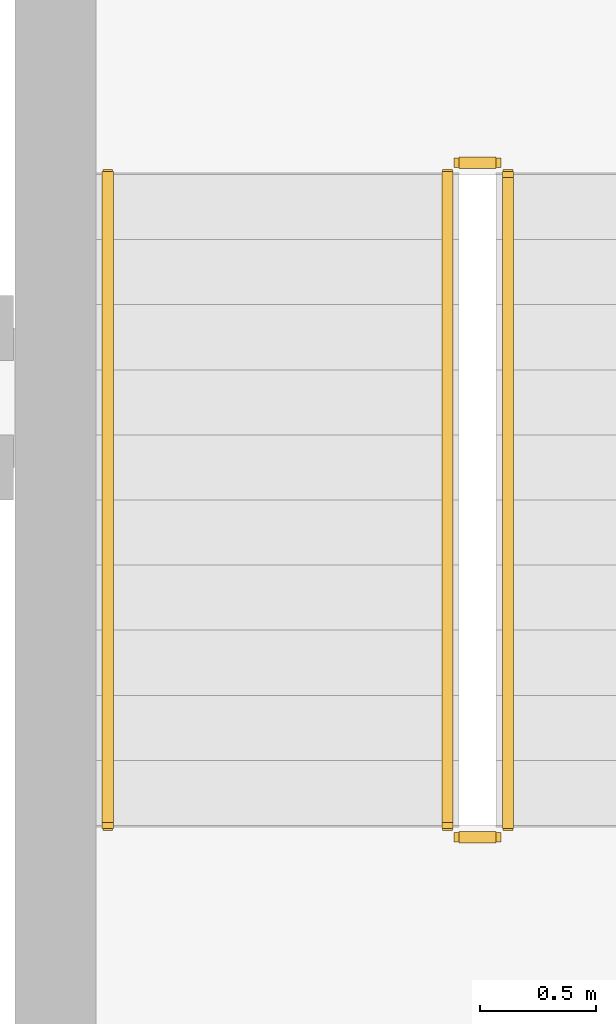
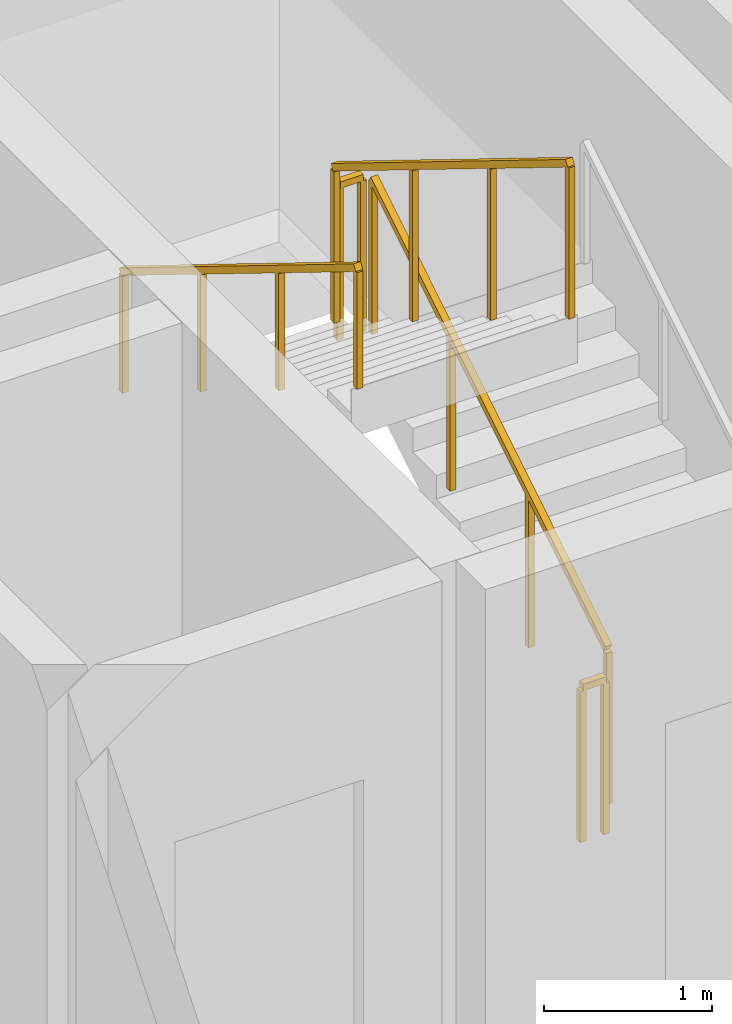
# One storey, part 14 of 15: 5 railings.
"""IFC4 building model written with IfcOpenShell, lengths in metres."""

from ifc_helpers import new_model, si_unit, direction, frame, origin, origin_2d, place, context, subcontext, project, spatial, rectangle, extrude, material, type_object, element, save


model = new_model("IFC4")

# Units and contexts
model_context = context("Model", 3, precision=1e-05, world=origin(), true_north=direction((0.0, 1.0)))
body_context = subcontext(model_context, "Body", "Model", "MODEL_VIEW")
ifc_project = project(units=[si_unit("LENGTHUNIT", "METRE"), si_unit("AREAUNIT", "SQUARE_METRE"), si_unit("VOLUMEUNIT", "CUBIC_METRE"), si_unit("PLANEANGLEUNIT", "RADIAN"), si_unit("MASSUNIT", "GRAM", prefix="KILO")], contexts=[model_context])

# Site, building, storey
site_placement = place(None, origin())
site = spatial("IfcSite", under=ifc_project, at=site_placement, CompositionType="ELEMENT")
building_placement = place(site_placement, origin())
building = spatial("IfcBuilding", under=site, at=building_placement, Name="Kaelvorn Grand Hotel", CompositionType="ELEMENT")
storey_placement = place(building_placement, frame((0.0, 0.0, 139.14990234375)))
storey = spatial("IfcBuildingStorey", under=building, at=storey_placement, Name="L33", CompositionType="ELEMENT", Elevation=139.14990234375)

# Railings
ifc_material = material(Name="Stainless Steel", Category="steel")
railing_type_1 = type_object("IfcRailingType", Name="RL-HANDRAIL-900", PredefinedType="HANDRAIL", material=ifc_material)
railing_1_placement = place(storey_placement, frame((63.3701171875, 44.56005859375, 2.07275390625)))
element("IfcRailing", 1, at=railing_1_placement, inside=storey, type_object=railing_type_1, Name="L33 ST3 stair handrail 2", PredefinedType="HANDRAIL", context=body_context, shape_type="SweptSolid", body=[
    extrude(rectangle(XDim=0.048095703125, YDim=0.048095703125, at=origin_2d()), frame((0.0, 0.0, 0.8759765625), z_axis=(0.0, -0.851089632645, 0.525020415988), x_axis=(1.0, 0.0, 0.0)), (0.0, 0.0, 1.0), 3.2900390625),
    extrude(rectangle(XDim=0.0419921875, YDim=0.0419921875, at=origin_2d()), origin(), (0.0, 0.0, 1.0), 0.851806640625),
    extrude(rectangle(XDim=0.0419921875, YDim=0.0419921875, at=origin_2d()), frame((0.0, -0.933349609375, 0.57568359375)), (0.0, 0.0, 1.0), 0.851806640625),
    extrude(rectangle(XDim=0.0419921875, YDim=0.0419921875, at=origin_2d()), frame((0.0, -1.86669921875, 1.151611328125)), (0.0, 0.0, 1.0), 0.851806640625),
    extrude(rectangle(XDim=0.0419921875, YDim=0.0419921875, at=origin_2d()), frame((0.0, -2.800048828125, 1.727294921875)), (0.0, 0.0, 1.0), 0.851806640625),
])
railing_type_2 = type_object("IfcRailingType", Name="RL-STAIR-GUARD-1150", PredefinedType="BALUSTRADE", material=ifc_material)
railing_2_placement = place(storey_placement, frame((65.090087890625, 41.760009765625, 0.1728515625)))
element("IfcRailing", 2, at=railing_2_placement, inside=storey, type_object=railing_type_2, Name="L33 ST3 stair guard 1", PredefinedType="BALUSTRADE", context=body_context, shape_type="SweptSolid", body=[
    extrude(rectangle(XDim=0.048095703125, YDim=0.048095703125, at=origin_2d()), frame((0.0, 0.0, 1.1259765625), z_axis=(0.0, 0.851089632645, 0.525020415988), x_axis=(-1.0, 0.0, 0.0)), (0.0, 0.0, 1.0), 3.2900390625),
    extrude(rectangle(XDim=0.0419921875, YDim=0.0419921875, at=origin_2d()), origin(), (0.0, 0.0, 1.0), 1.101806640625),
    extrude(rectangle(XDim=0.0419921875, YDim=0.0419921875, at=origin_2d()), frame((0.0, 0.933349609375, 0.57568359375)), (0.0, 0.0, 1.0), 1.101806640625),
    extrude(rectangle(XDim=0.0419921875, YDim=0.0419921875, at=origin_2d()), frame((0.0, 1.86669921875, 1.151611328125)), (0.0, 0.0, 1.0), 1.101806640625),
    extrude(rectangle(XDim=0.0419921875, YDim=0.0419921875, at=origin_2d()), frame((0.0, 2.800048828125, 1.727294921875)), (0.0, 0.0, 1.0), 1.101806640625),
])
railing_3_placement = place(storey_placement, frame((65.0400390625, 44.610107421875, 1.900146484375)))
element("IfcRailing", 3, at=railing_3_placement, inside=storey, type_object=railing_type_2, Name="L33 ST3 stair guard 2", PredefinedType="BALUSTRADE", context=body_context, shape_type="SweptSolid", body=[
    extrude(rectangle(XDim=0.048095703125, YDim=0.048095703125, at=origin_2d()), frame((0.0, 0.0, 1.1259765625), z_axis=(-1.0, 0.0, 0.0), x_axis=(0.0, -1.0, 0.0)), (0.0, 0.0, 1.0), 0.16015625),
    extrude(rectangle(XDim=0.0419921875, YDim=0.0419921875, at=origin_2d()), origin(), (0.0, 0.0, 1.0), 1.101806640625),
    extrude(rectangle(XDim=0.0419921875, YDim=0.0419921875, at=origin_2d()), frame((-0.16015625, 0.0, 0.0)), (0.0, 0.0, 1.0), 1.101806640625),
])
railing_4_placement = place(storey_placement, frame((64.830078125, 44.56005859375, 2.07275390625)))
element("IfcRailing", 4, at=railing_4_placement, inside=storey, type_object=railing_type_2, Name="L33 ST3 stair guard 3", PredefinedType="BALUSTRADE", context=body_context, shape_type="SweptSolid", body=[
    extrude(rectangle(XDim=0.048095703125, YDim=0.048095703125, at=origin_2d()), frame((0.0, 0.0, 1.1259765625), z_axis=(0.0, -0.851089632645, 0.525020415988), x_axis=(1.0, 0.0, 0.0)), (0.0, 0.0, 1.0), 3.2900390625),
    extrude(rectangle(XDim=0.0419921875, YDim=0.0419921875, at=origin_2d()), origin(), (0.0, 0.0, 1.0), 1.101806640625),
    extrude(rectangle(XDim=0.0419921875, YDim=0.0419921875, at=origin_2d()), frame((0.0, -0.933349609375, 0.57568359375)), (0.0, 0.0, 1.0), 1.101806640625),
    extrude(rectangle(XDim=0.0419921875, YDim=0.0419921875, at=origin_2d()), frame((0.0, -1.86669921875, 1.151611328125)), (0.0, 0.0, 1.0), 1.101806640625),
    extrude(rectangle(XDim=0.0419921875, YDim=0.0419921875, at=origin_2d()), frame((0.0, -2.800048828125, 1.727294921875)), (0.0, 0.0, 1.0), 1.101806640625),
])
railing_5_placement = place(storey_placement, frame((65.0400390625, 41.7099609375, 0.0)))
element("IfcRailing", 5, at=railing_5_placement, inside=storey, type_object=railing_type_2, Name="L33 ST3 stair guard 4", PredefinedType="BALUSTRADE", context=body_context, shape_type="SweptSolid", body=[
    extrude(rectangle(XDim=0.048095703125, YDim=0.048095703125, at=origin_2d()), frame((0.0, 0.0, 1.1259765625), z_axis=(-1.0, 0.0, 0.0), x_axis=(0.0, -1.0, 0.0)), (0.0, 0.0, 1.0), 0.16015625),
    extrude(rectangle(XDim=0.0419921875, YDim=0.0419921875, at=origin_2d()), origin(), (0.0, 0.0, 1.0), 1.101806640625),
    extrude(rectangle(XDim=0.0419921875, YDim=0.0419921875, at=origin_2d()), frame((-0.16015625, 0.0, 0.0)), (0.0, 0.0, 1.0), 1.101806640625),
])

save(model, "model.ifc")
